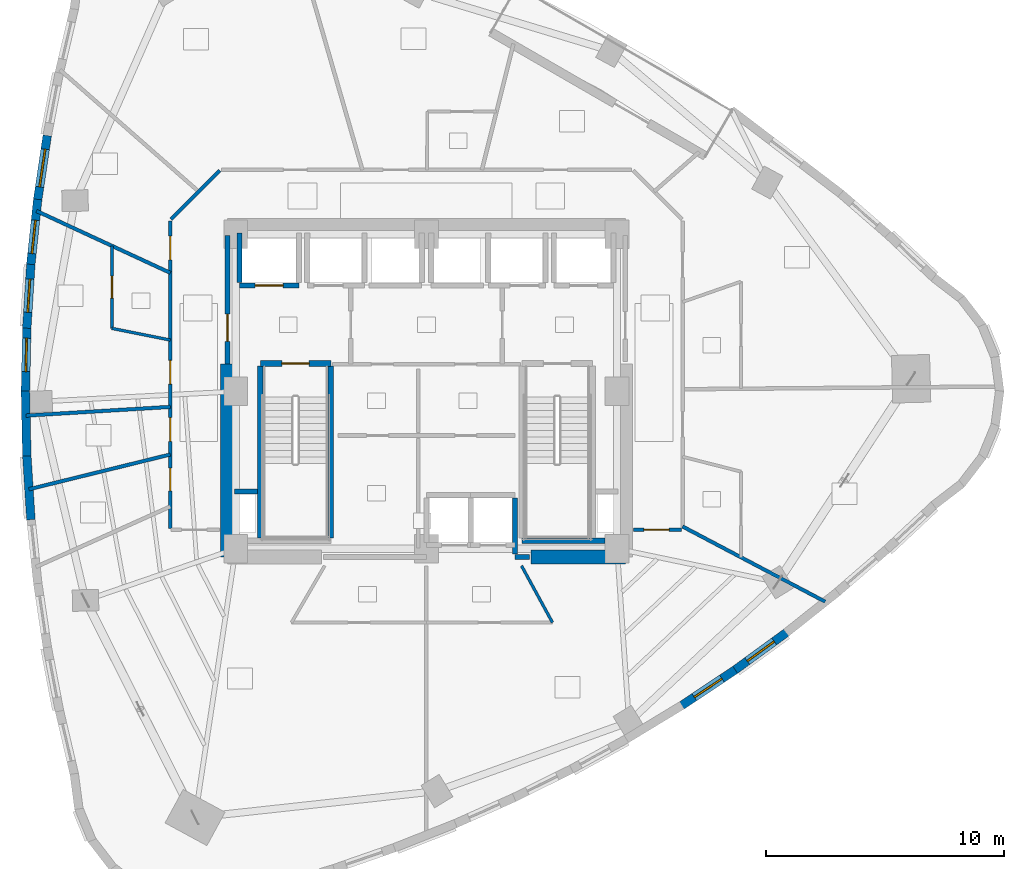
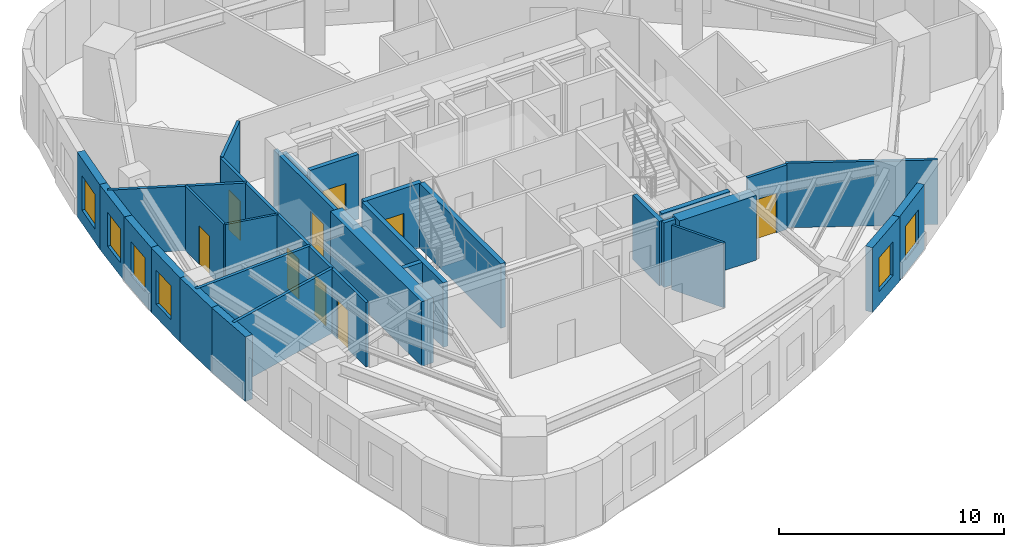
# One storey, part 8 of 14: 30 walls, 9 doors, 6 windows, 15 openings.
"""IFC4 building model written with IfcOpenShell, lengths in metres."""

from ifc_helpers import new_model, si_unit, direction, frame, frame_2d, origin, place, context, subcontext, project, spatial, rectangle, extrude, material, layer, layer_set, type_object, element, fill, save


model = new_model("IFC4")

# Units and contexts
model_context = context("Model", 3, precision=1e-05, world=origin(), true_north=direction((0.0, 1.0)))
body_context = subcontext(model_context, "Body", "Model", "MODEL_VIEW")
ifc_project = project(units=[si_unit("LENGTHUNIT", "METRE"), si_unit("AREAUNIT", "SQUARE_METRE"), si_unit("VOLUMEUNIT", "CUBIC_METRE"), si_unit("PLANEANGLEUNIT", "RADIAN"), si_unit("MASSUNIT", "GRAM", prefix="KILO")], contexts=[model_context])

# Site, building, storey
site_placement = place(None, origin())
site = spatial("IfcSite", under=ifc_project, at=site_placement, CompositionType="ELEMENT")
building_placement = place(site_placement, origin())
building = spatial("IfcBuilding", under=site, at=building_placement, Name="Ndelora Gate Hotel", CompositionType="ELEMENT")
storey_placement = place(building_placement, frame((0.0, 0.0, 127.25)))
storey = spatial("IfcBuildingStorey", under=building, at=storey_placement, Name="L31", CompositionType="ELEMENT", Elevation=127.25)

# Wall, opening, window
ifc_material_1 = material(Name="Clay Brick Masonry", Category="masonry")
ifc_layer_1 = layer(ifc_material_1, 0.360107421875)
ifc_layer_set_1 = layer_set([ifc_layer_1], Name="Clay Brick Masonry")
wall_type_1 = type_object("IfcWallType", Name="WL-BRICK-360", PredefinedType="SOLIDWALL", material=ifc_layer_set_1)
wall_1_placement = place(storey_placement, frame((-16.3212890625, 8.01220703125, 0.0), z_axis=(0.0, 0.0, 1.0), x_axis=(0.147193392227, 0.98910773189, 0.0)))
wall_1 = element("IfcWall", 1, at=wall_1_placement, inside=storey, type_object=wall_type_1, Name="L31 Tower Brick Pier-and-Spandrel Wall TWR-11", PredefinedType="SOLIDWALL", context=body_context, shape_type="SweptSolid", body=[
    extrude(rectangle(XDim=2.75830078125, YDim=0.360107421875, at=frame_2d((1.379150390625, 0.0))), origin(), (0.0, 0.0, 1.0), 3.5),
])
opening_1_placement = place(wall_1_placement, frame((0.5791015625, 0.0, 0.719970703125)))
opening_1 = element("IfcOpeningElement", 2, at=opening_1_placement, cuts=wall_1, Name="Opening W01", PredefinedType="OPENING", context=body_context, shape_type="SweptSolid", body=[
    extrude(rectangle(XDim=1.60009765625, YDim=1.8798828125, at=frame_2d((0.800048828125, 0.93994140625))), frame((0.0, 0.18994140625, 0.0), z_axis=(0.0, -1.0, 0.0), x_axis=(1.0, 0.0, 0.0)), (0.0, 0.0, 1.0), 0.380126953125),
])
ifc_material_2 = material(Name="Insulated Low-E Double Glazing in Bronze Aluminium Frame", Category="aluminium")
window_type_1 = type_object("IfcWindowType", Name="WN-DEEP-1600", PartitioningType="SINGLE_PANEL", PredefinedType="WINDOW", material=ifc_material_2)
window_1_placement = place(opening_1_placement, origin())
window_1 = element("IfcWindow", 3, at=window_1_placement, inside=storey, type_object=window_type_1, Name="L31 Deep-Set Brick-Pier Window W01", OverallHeight=1.8798828125, OverallWidth=1.60009765625, PartitioningType="SINGLE_PANEL", PredefinedType="WINDOW", context=body_context, shape_type="SweptSolid", body=[
    extrude(rectangle(XDim=1.60009765625, YDim=1.8798828125, at=frame_2d((0.800048828125, 0.93994140625))), frame((0.0, 0.030029296875, 0.0), z_axis=(0.0, -1.0, 0.0), x_axis=(1.0, 0.0, 0.0)), (0.0, 0.0, 1.0), 0.06005859375),
])
fill(opening_1, window_1)

wall_2_placement = place(storey_placement, frame((-16.60498046875, 5.3330078125, 0.0), z_axis=(0.0, 0.0, 1.0), x_axis=(0.105606362296, 0.994408012962, 0.0)))
wall_2 = element("IfcWall", 4, at=wall_2_placement, inside=storey, type_object=wall_type_1, Name="L31 Tower Brick Pier-and-Spandrel Wall TWR-12", PredefinedType="SOLIDWALL", context=body_context, shape_type="SweptSolid", body=[
    extrude(rectangle(XDim=2.744140625, YDim=0.360107421875, at=frame_2d((1.3720703125, 0.0))), origin(), (0.0, 0.0, 1.0), 3.5),
])
opening_2_placement = place(wall_2_placement, frame((0.4599609375, 0.0, 0.719970703125)))
opening_2 = element("IfcOpeningElement", 5, at=opening_2_placement, cuts=wall_2, Name="Opening W02", PredefinedType="OPENING", context=body_context, shape_type="SweptSolid", body=[
    extrude(rectangle(XDim=1.39990234375, YDim=1.840087890625, at=frame_2d((0.699951171875, 0.919921875))), frame((0.0, 0.18994140625, 0.0), z_axis=(0.0, -1.0, 0.0), x_axis=(1.0, 0.0, 0.0)), (0.0, 0.0, 1.0), 0.380126953125),
])
window_type_2 = type_object("IfcWindowType", Name="WN-DEEP-1400", PartitioningType="SINGLE_PANEL", PredefinedType="WINDOW", material=ifc_material_2)
window_2_placement = place(opening_2_placement, origin())
window_2 = element("IfcWindow", 6, at=window_2_placement, inside=storey, type_object=window_type_2, Name="L31 Deep-Set Brick-Pier Window W02", OverallHeight=1.840087890625, OverallWidth=1.39990234375, PartitioningType="SINGLE_PANEL", PredefinedType="WINDOW", context=body_context, shape_type="SweptSolid", body=[
    extrude(rectangle(XDim=1.39990234375, YDim=1.840087890625, at=frame_2d((0.699951171875, 0.919921875))), frame((0.0, 0.030029296875, 0.0), z_axis=(0.0, -1.0, 0.0), x_axis=(1.0, 0.0, 0.0)), (0.0, 0.0, 1.0), 0.06005859375),
])
fill(opening_2, window_2)

wall_3_placement = place(storey_placement, frame((-16.77490234375, 2.654052734375, 0.0), z_axis=(0.0, 0.0, 1.0), x_axis=(0.063662313476, 0.99797149751, 0.0)))
wall_3 = element("IfcWall", 7, at=wall_3_placement, inside=storey, type_object=wall_type_1, Name="L31 Tower Brick Pier-and-Spandrel Wall TWR-13", PredefinedType="SOLIDWALL", context=body_context, shape_type="SweptSolid", body=[
    extrude(rectangle(XDim=2.734375, YDim=0.360107421875, at=frame_2d((1.3671875, 0.0))), origin(), (0.0, 0.0, 1.0), 3.5),
])
opening_3_placement = place(wall_3_placement, frame((0.667236328125, 0.0, 0.719970703125)))
opening_3 = element("IfcOpeningElement", 8, at=opening_3_placement, cuts=wall_3, Name="Opening W02", PredefinedType="OPENING", context=body_context, shape_type="SweptSolid", body=[
    extrude(rectangle(XDim=1.39990234375, YDim=1.840087890625, at=frame_2d((0.699951171875, 0.919921875))), frame((0.0, 0.18994140625, 0.0), z_axis=(0.0, -1.0, 0.0), x_axis=(1.0, 0.0, 0.0)), (0.0, 0.0, 1.0), 0.380126953125),
])
window_3_placement = place(opening_3_placement, origin())
window_3 = element("IfcWindow", 9, at=window_3_placement, inside=storey, type_object=window_type_2, Name="L31 Deep-Set Brick-Pier Window W02", OverallHeight=1.840087890625, OverallWidth=1.39990234375, PartitioningType="SINGLE_PANEL", PredefinedType="WINDOW", context=body_context, shape_type="SweptSolid", body=[
    extrude(rectangle(XDim=1.39990234375, YDim=1.840087890625, at=frame_2d((0.699951171875, 0.919921875))), frame((0.0, 0.030029296875, 0.0), z_axis=(0.0, -1.0, 0.0), x_axis=(1.0, 0.0, 0.0)), (0.0, 0.0, 1.0), 0.06005859375),
])
fill(opening_3, window_3)

wall_4_placement = place(storey_placement, frame((-16.830810546875, -0.02490234375, 0.0), z_axis=(0.0, 0.0, 1.0), x_axis=(0.021286998628, 0.999773406172, 0.0)))
wall_4 = element("IfcWall", 10, at=wall_4_placement, inside=storey, type_object=wall_type_1, Name="L31 Tower Brick Pier-and-Spandrel Wall TWR-14", PredefinedType="SOLIDWALL", context=body_context, shape_type="SweptSolid", body=[
    extrude(rectangle(XDim=2.729736328125, YDim=0.360107421875, at=frame_2d((1.36474609375, 0.0))), origin(), (0.0, 0.0, 1.0), 3.5),
])
opening_4_placement = place(wall_4_placement, frame((0.860107421875, 0.0, 0.719970703125)))
opening_4 = element("IfcOpeningElement", 11, at=opening_4_placement, cuts=wall_4, Name="Opening W02", PredefinedType="OPENING", context=body_context, shape_type="SweptSolid", body=[
    extrude(rectangle(XDim=1.39990234375, YDim=1.840087890625, at=frame_2d((0.699951171875, 0.919921875))), frame((0.0, 0.18994140625, 0.0), z_axis=(0.0, -1.0, 0.0), x_axis=(1.0, 0.0, 0.0)), (0.0, 0.0, 1.0), 0.380126953125),
])
window_4_placement = place(opening_4_placement, origin())
window_4 = element("IfcWindow", 12, at=window_4_placement, inside=storey, type_object=window_type_2, Name="L31 Deep-Set Brick-Pier Window W02", OverallHeight=1.840087890625, OverallWidth=1.39990234375, PartitioningType="SINGLE_PANEL", PredefinedType="WINDOW", context=body_context, shape_type="SweptSolid", body=[
    extrude(rectangle(XDim=1.39990234375, YDim=1.840087890625, at=frame_2d((0.699951171875, 0.919921875))), frame((0.0, 0.030029296875, 0.0), z_axis=(0.0, -1.0, 0.0), x_axis=(1.0, 0.0, 0.0)), (0.0, 0.0, 1.0), 0.06005859375),
])
fill(opening_4, window_4)

# Walls
wall_5_placement = place(storey_placement, frame((-16.772705078125, -2.7041015625, 0.0), z_axis=(0.0, 0.0, 1.0), x_axis=(-0.021286998628, 0.999773406172, 0.0)))
element("IfcWall", 13, at=wall_5_placement, inside=storey, type_object=wall_type_1, Name="L31 Tower Brick Pier-and-Spandrel Wall TWR-15", PredefinedType="SOLIDWALL", context=body_context, shape_type="SweptSolid", body=[
    extrude(rectangle(XDim=2.729736328125, YDim=0.360107421875, at=frame_2d((1.36474609375, 0.0))), origin(), (0.0, 0.0, 1.0), 3.5),
])
wall_6_placement = place(storey_placement, frame((-16.600830078125, -5.3828125, 0.0), z_axis=(0.0, 0.0, 1.0), x_axis=(-0.063662313476, 0.99797149751, 0.0)))
element("IfcWall", 14, at=wall_6_placement, inside=storey, type_object=wall_type_1, Name="L31 Tower Brick Pier-and-Spandrel Wall TWR-16", PredefinedType="SOLIDWALL", context=body_context, shape_type="SweptSolid", body=[
    extrude(rectangle(XDim=2.734375, YDim=0.360107421875, at=frame_2d((1.3671875, 0.0))), origin(), (0.0, 0.0, 1.0), 3.5),
])

# Wall, opening, window
wall_7_placement = place(storey_placement, frame((12.962158203125, -11.685302734375, 0.0), z_axis=(0.0, 0.0, 1.0), x_axis=(-0.832462133921, -0.554081939416, 0.0)))
wall_7 = element("IfcWall", 15, at=wall_7_placement, inside=storey, type_object=wall_type_1, Name="L31 Tower Brick Pier-and-Spandrel Wall TWR-36", PredefinedType="SOLIDWALL", context=body_context, shape_type="SweptSolid", body=[
    extrude(rectangle(XDim=2.734619140625, YDim=0.360107421875, at=frame_2d((1.3671875, 0.0))), origin(), (0.0, 0.0, 1.0), 3.5),
])
opening_5_placement = place(wall_7_placement, frame((0.667236328125, 0.0, 0.719970703125)))
opening_5 = element("IfcOpeningElement", 16, at=opening_5_placement, cuts=wall_7, Name="Opening W02", PredefinedType="OPENING", context=body_context, shape_type="SweptSolid", body=[
    extrude(rectangle(XDim=1.39990234375, YDim=1.840087890625, at=frame_2d((0.699951171875, 0.919921875))), frame((0.0, 0.18994140625, 0.0), z_axis=(0.0, -1.0, 0.0), x_axis=(1.0, 0.0, 0.0)), (0.0, 0.0, 1.0), 0.380126953125),
])
window_5_placement = place(opening_5_placement, origin())
window_5 = element("IfcWindow", 17, at=window_5_placement, inside=storey, type_object=window_type_2, Name="L31 Deep-Set Brick-Pier Window W02", OverallHeight=1.840087890625, OverallWidth=1.39990234375, PartitioningType="SINGLE_PANEL", PredefinedType="WINDOW", context=body_context, shape_type="SweptSolid", body=[
    extrude(rectangle(XDim=1.39990234375, YDim=1.840087890625, at=frame_2d((0.699951171875, 0.919921875))), frame((0.0, 0.030029296875, 0.0), z_axis=(0.0, -1.0, 0.0), x_axis=(1.0, 0.0, 0.0)), (0.0, 0.0, 1.0), 0.06005859375),
])
fill(opening_5, window_5)

wall_8_placement = place(storey_placement, frame((15.13916015625, -10.098388671875, 0.0), z_axis=(0.0, 0.0, 1.0), x_axis=(-0.808324203432, -0.588737617403, 0.0)))
wall_8 = element("IfcWall", 18, at=wall_8_placement, inside=storey, type_object=wall_type_1, Name="L31 Tower Brick Pier-and-Spandrel Wall TWR-37", PredefinedType="SOLIDWALL", context=body_context, shape_type="SweptSolid", body=[
    extrude(rectangle(XDim=2.743896484375, YDim=0.360107421875, at=frame_2d((1.3720703125, 0.0))), origin(), (0.0, 0.0, 1.0), 3.5),
])
opening_6_placement = place(wall_8_placement, frame((0.672119140625, 0.0, 0.719970703125)))
opening_6 = element("IfcOpeningElement", 19, at=opening_6_placement, cuts=wall_8, Name="Opening W02", PredefinedType="OPENING", context=body_context, shape_type="SweptSolid", body=[
    extrude(rectangle(XDim=1.39990234375, YDim=1.840087890625, at=frame_2d((0.699951171875, 0.919921875))), frame((0.0, 0.18994140625, 0.0), z_axis=(0.0, -1.0, 0.0), x_axis=(1.0, 0.0, 0.0)), (0.0, 0.0, 1.0), 0.380126953125),
])
window_6_placement = place(opening_6_placement, origin())
window_6 = element("IfcWindow", 20, at=window_6_placement, inside=storey, type_object=window_type_2, Name="L31 Deep-Set Brick-Pier Window W02", OverallHeight=1.840087890625, OverallWidth=1.39990234375, PartitioningType="SINGLE_PANEL", PredefinedType="WINDOW", context=body_context, shape_type="SweptSolid", body=[
    extrude(rectangle(XDim=1.39990234375, YDim=1.840087890625, at=frame_2d((0.699951171875, 0.919921875))), frame((0.0, 0.030029296875, 0.0), z_axis=(0.0, -1.0, 0.0), x_axis=(1.0, 0.0, 0.0)), (0.0, 0.0, 1.0), 0.06005859375),
])
fill(opening_6, window_6)

# Walls
ifc_material_3 = material(Name="Concrete C60/75", Category="concrete")
ifc_layer_2 = layer(ifc_material_3, 0.60009765625)
ifc_layer_set_2 = layer_set([ifc_layer_2], Name="Concrete C60/75")
wall_type_2 = type_object("IfcWallType", Name="WL-CORE-600", PredefinedType="SHEAR", material=ifc_layer_set_2)
wall_9_placement = place(storey_placement, frame((4.39990234375, -6.949951171875, 0.0), z_axis=(0.0, 0.0, 1.0), x_axis=(1.0, 0.0, 0.0)))
element("IfcWall", 21, at=wall_9_placement, inside=storey, type_object=wall_type_2, Name="L31 Core Shear Wall S-E", PredefinedType="SHEAR", context=body_context, shape_type="SweptSolid", body=[
    extrude(rectangle(XDim=3.9501953125, YDim=0.60009765625, at=frame_2d((1.97509765625, 0.0))), origin(), (0.0, 0.0, 1.0), 3.5),
])
wall_10_placement = place(storey_placement, frame((-8.35009765625, -6.949951171875, 0.0), z_axis=(0.0, 0.0, 1.0), x_axis=(0.0, 1.0, 0.0)))
element("IfcWall", 22, at=wall_10_placement, inside=storey, type_object=wall_type_2, Name="L31 Core Shear Wall W", PredefinedType="SHEAR", context=body_context, shape_type="SweptSolid", body=[
    extrude(rectangle(XDim=8.099853515625, YDim=0.60009765625, at=frame_2d((4.0498046875, 0.0))), origin(), (0.0, 0.0, 1.0), 3.5),
])

# Wall, opening, door
ifc_material_4 = material(Name="Concrete C40/50", Category="concrete")
ifc_layer_3 = layer(ifc_material_4, 0.199951171875)
ifc_layer_set_3 = layer_set([ifc_layer_3], Name="Concrete C40/50")
wall_type_3 = type_object("IfcWallType", Name="WL-FIRE-200", PredefinedType="PARTITIONING", material=ifc_layer_set_3)
wall_11_placement = place(storey_placement, frame((-8.35009765625, 1.14990234375, 0.0), z_axis=(0.0, 0.0, 1.0), x_axis=(0.0, 1.0, 0.0)))
wall_11 = element("IfcWall", 23, at=wall_11_placement, inside=storey, type_object=wall_type_3, Name="L31 Interior Wall IW-2", PredefinedType="PARTITIONING", context=body_context, shape_type="SweptSolid", body=[
    extrude(rectangle(XDim=5.400146484375, YDim=0.199951171875, at=frame_2d((2.7001953125, 0.0))), origin(), (0.0, 0.0, 1.0), 3.5),
])
opening_7_placement = place(wall_11_placement, frame((0.949951171875, 0.0, 0.0)))
opening_7 = element("IfcOpeningElement", 24, at=opening_7_placement, cuts=wall_11, Name="Opening FD1", PredefinedType="OPENING", context=body_context, shape_type="SweptSolid", body=[
    extrude(rectangle(XDim=1.14990234375, YDim=2.14990234375, at=frame_2d((0.574951171875, 1.074951171875))), frame((0.0, 0.10986328125, 0.0), z_axis=(0.0, -1.0, 0.0), x_axis=(1.0, 0.0, 0.0)), (0.0, 0.0, 1.0), 0.219970703125),
])
ifc_material_5 = material(Name="Fire-Rated Timber-Veneer Steel Core", Category="steel")
door_type_1 = type_object("IfcDoorType", Name="DR-FD60", OperationType="SINGLE_SWING_LEFT", PredefinedType="DOOR", material=ifc_material_5)
door_1_placement = place(opening_7_placement, origin())
door_1 = element("IfcDoor", 25, at=door_1_placement, inside=storey, type_object=door_type_1, Name="L31 Firefighting Lobby West Corridor Door", OperationType="SINGLE_SWING_LEFT", OverallHeight=2.14990234375, OverallWidth=1.14990234375, PredefinedType="DOOR", context=body_context, shape_type="SweptSolid", body=[
    extrude(rectangle(XDim=1.14990234375, YDim=2.14990234375, at=frame_2d((0.574951171875, 1.074951171875))), frame((0.0, 0.02490234375, 0.0), z_axis=(0.0, -1.0, 0.0), x_axis=(1.0, 0.0, 0.0)), (0.0, 0.0, 1.0), 0.050048828125),
])
fill(opening_7, door_1)

# Wall
wall_12_placement = place(storey_placement, frame((3.719970703125, -6.949951171875, 0.0), z_axis=(0.0, 0.0, 1.0), x_axis=(1.0, 0.0, 0.0)))
element("IfcWall", 26, at=wall_12_placement, inside=storey, type_object=wall_type_3, Name="L31 Interior Wall IW-2", PredefinedType="PARTITIONING", context=body_context, shape_type="SweptSolid", body=[
    extrude(rectangle(XDim=0.60009765625, YDim=0.199951171875, at=frame_2d((0.300048828125, 0.0))), origin(), (0.0, 0.0, 1.0), 3.5),
])

# Wall, opening, door
ifc_material_6 = material(Name="Fire-Rated Gypsum Stud Partition", Category="gypsum")
ifc_layer_4 = layer(ifc_material_6, 0.14990234375)
ifc_layer_set_4 = layer_set([ifc_layer_4], Name="Fire-Rated Gypsum Stud Partition")
wall_type_4 = type_object("IfcWallType", Name="WL-PART-150", PredefinedType="PARTITIONING", material=ifc_layer_set_4)
wall_13_placement = place(storey_placement, frame((10.7099609375, -5.800048828125, 0.0), z_axis=(0.0, 0.0, 1.0), x_axis=(-1.0, 0.0, 0.0)))
wall_13 = element("IfcWall", 27, at=wall_13_placement, inside=storey, type_object=wall_type_4, Name="L31 Interior Wall IW-5", PredefinedType="PARTITIONING", context=body_context, shape_type="SweptSolid", body=[
    extrude(rectangle(XDim=2.02001953125, YDim=0.14990234375, at=frame_2d((1.010009765625, 0.0))), origin(), (0.0, 0.0, 1.0), 3.5),
])
opening_8_placement = place(wall_13_placement, frame((0.52001953125, 0.0, 0.0)))
opening_8 = element("IfcOpeningElement", 28, at=opening_8_placement, cuts=wall_13, Name="Opening D07", PredefinedType="OPENING", context=body_context, shape_type="SweptSolid", body=[
    extrude(rectangle(XDim=1.06005859375, YDim=2.14990234375, at=frame_2d((0.530029296875, 1.074951171875))), frame((0.0, 0.0849609375, 0.0), z_axis=(0.0, -1.0, 0.0), x_axis=(1.0, 0.0, 0.0)), (0.0, 0.0, 1.0), 0.169921875),
])
ifc_material_7 = material(Name="Diplomatic Suite Acoustic Entrance Door", Category="wood")
door_type_2 = type_object("IfcDoorType", Name="DR-SUITE-1060", OperationType="SINGLE_SWING_LEFT", PredefinedType="DOOR", material=ifc_material_7)
door_2_placement = place(opening_8_placement, origin())
door_2 = element("IfcDoor", 29, at=door_2_placement, inside=storey, type_object=door_type_2, Name="L31 Club King Corner Suite 3402 Entrance Door", OperationType="SINGLE_SWING_RIGHT", OverallHeight=2.14990234375, OverallWidth=1.06005859375, PredefinedType="DOOR", context=body_context, shape_type="SweptSolid", body=[
    extrude(rectangle(XDim=1.06005859375, YDim=2.14990234375, at=frame_2d((0.530029296875, 1.074951171875))), frame((0.0, 0.02490234375, 0.0), z_axis=(0.0, -1.0, 0.0), x_axis=(1.0, 0.0, 0.0)), (0.0, 0.0, 1.0), 0.050048828125),
])
fill(opening_8, door_2)

# Wall
wall_14_placement = place(storey_placement, frame((-10.7216796875, 7.228271484375, 0.0), z_axis=(0.0, 0.0, 1.0), x_axis=(0.707106781187, 0.707106781187, 0.0)))
element("IfcWall", 30, at=wall_14_placement, inside=storey, type_object=wall_type_4, Name="L31 Interior Wall IW-5", PredefinedType="PARTITIONING", context=body_context, shape_type="SweptSolid", body=[
    extrude(rectangle(XDim=2.889892578125, YDim=0.14990234375, at=frame_2d((1.44482421875, 0.0))), origin(), (0.0, 0.0, 1.0), 3.5),
])

# Wall, openings, doors
wall_15_placement = place(storey_placement, frame((-10.75, -5.760009765625, 0.0), z_axis=(0.0, 0.0, 1.0), x_axis=(0.0, 1.0, 0.0)))
wall_15 = element("IfcWall", 31, at=wall_15_placement, inside=storey, type_object=wall_type_4, Name="L31 Interior Wall IW-5", PredefinedType="PARTITIONING", context=body_context, shape_type="SweptSolid", body=[
    extrude(rectangle(XDim=12.919921875, YDim=0.14990234375, at=frame_2d((6.4599609375, 0.0))), origin(), (0.0, 0.0, 1.0), 3.5),
])
opening_9_placement = place(wall_15_placement, frame((3.660400390625, 0.0, 0.0)))
opening_9 = element("IfcOpeningElement", 32, at=opening_9_placement, cuts=wall_15, Name="Opening D01", PredefinedType="OPENING", context=body_context, shape_type="SweptSolid", body=[
    extrude(rectangle(XDim=1.0, YDim=2.14990234375, at=frame_2d((0.5, 1.074951171875))), frame((0.0, 0.0849609375, 0.0), z_axis=(0.0, -1.0, 0.0), x_axis=(1.0, 0.0, 0.0)), (0.0, 0.0, 1.0), 0.169921875),
])
opening_10_placement = place(wall_15_placement, frame((1.5888671875, 0.0, 0.0)))
opening_10 = element("IfcOpeningElement", 33, at=opening_10_placement, cuts=wall_15, Name="Opening D05", PredefinedType="OPENING", context=body_context, shape_type="SweptSolid", body=[
    extrude(rectangle(XDim=0.949951171875, YDim=2.10009765625, at=frame_2d((0.47509765625, 1.050048828125))), frame((0.0, 0.0849609375, 0.0), z_axis=(0.0, -1.0, 0.0), x_axis=(1.0, 0.0, 0.0)), (0.0, 0.0, 1.0), 0.169921875),
])
opening_11_placement = place(wall_15_placement, frame((11.2783203125, 0.0, 0.0)))
opening_11 = element("IfcOpeningElement", 34, at=opening_11_placement, cuts=wall_15, Name="Opening D01", PredefinedType="OPENING", context=body_context, shape_type="SweptSolid", body=[
    extrude(rectangle(XDim=1.0, YDim=2.14990234375, at=frame_2d((0.5, 1.074951171875))), frame((0.0, 0.0849609375, 0.0), z_axis=(0.0, -1.0, 0.0), x_axis=(1.0, 0.0, 0.0)), (0.0, 0.0, 1.0), 0.169921875),
])
opening_12_placement = place(wall_15_placement, frame((6.064697265625, 0.0, 0.0)))
opening_12 = element("IfcOpeningElement", 35, at=opening_12_placement, cuts=wall_15, Name="Opening D01", PredefinedType="OPENING", context=body_context, shape_type="SweptSolid", body=[
    extrude(rectangle(XDim=1.0, YDim=2.14990234375, at=frame_2d((0.5, 1.074951171875))), frame((0.0, 0.0849609375, 0.0), z_axis=(0.0, -1.0, 0.0), x_axis=(1.0, 0.0, 0.0)), (0.0, 0.0, 1.0), 0.169921875),
])
ifc_material_8 = material(Name="Accessible Restroom Wide-Clearance Door", Category="wood")
door_type_3 = type_object("IfcDoorType", Name="DR-ACC-950", OperationType="SINGLE_SWING_LEFT", PredefinedType="DOOR", material=ifc_material_8)
door_3_placement = place(opening_10_placement, origin())
door_3 = element("IfcDoor", 36, at=door_3_placement, inside=storey, type_object=door_type_3, Name="L31 Accessible WC Entrance Door", OperationType="SINGLE_SWING_LEFT", OverallHeight=2.10009765625, OverallWidth=0.949951171875, PredefinedType="DOOR", context=body_context, shape_type="SweptSolid", body=[
    extrude(rectangle(XDim=0.949951171875, YDim=2.10009765625, at=frame_2d((0.47509765625, 1.050048828125))), frame((0.0, 0.02490234375, 0.0), z_axis=(0.0, -1.0, 0.0), x_axis=(1.0, 0.0, 0.0)), (0.0, 0.0, 1.0), 0.050048828125),
])
fill(opening_10, door_3)
ifc_material_9 = material(Name="Acoustic Hardwood Guest Entrance Door", Category="wood")
door_type_4 = type_object("IfcDoorType", Name="DR-COR-1000", OperationType="SINGLE_SWING_LEFT", PredefinedType="DOOR", material=ifc_material_9)
door_4_placement = place(opening_9_placement, origin())
door_4 = element("IfcDoor", 37, at=door_4_placement, inside=storey, type_object=door_type_4, Name="L31 Housekeeping and Linen Room Entrance Door", OperationType="SINGLE_SWING_RIGHT", OverallHeight=2.14990234375, OverallWidth=1.0, PredefinedType="DOOR", context=body_context, shape_type="SweptSolid", body=[
    extrude(rectangle(XDim=1.0, YDim=2.14990234375, at=frame_2d((0.5, 1.074951171875))), frame((0.0, 0.02490234375, 0.0), z_axis=(0.0, -1.0, 0.0), x_axis=(1.0, 0.0, 0.0)), (0.0, 0.0, 1.0), 0.050048828125),
])
fill(opening_9, door_4)
door_5_placement = place(opening_11_placement, origin())
door_5 = element("IfcDoor", 38, at=door_5_placement, inside=storey, type_object=door_type_4, Name="L31 Butler Finishing Kitchen Entrance Door", OperationType="SINGLE_SWING_LEFT", OverallHeight=2.14990234375, OverallWidth=1.0, PredefinedType="DOOR", context=body_context, shape_type="SweptSolid", body=[
    extrude(rectangle(XDim=1.0, YDim=2.14990234375, at=frame_2d((0.5, 1.074951171875))), frame((0.0, 0.02490234375, 0.0), z_axis=(0.0, -1.0, 0.0), x_axis=(1.0, 0.0, 0.0)), (0.0, 0.0, 1.0), 0.050048828125),
])
fill(opening_11, door_5)
door_6_placement = place(opening_12_placement, origin())
door_6 = element("IfcDoor", 39, at=door_6_placement, inside=storey, type_object=door_type_4, Name="L31 Club Superior Guest Room 3406 Entrance Door", OperationType="SINGLE_SWING_RIGHT", OverallHeight=2.14990234375, OverallWidth=1.0, PredefinedType="DOOR", context=body_context, shape_type="SweptSolid", body=[
    extrude(rectangle(XDim=1.0, YDim=2.14990234375, at=frame_2d((0.5, 1.074951171875))), frame((0.0, 0.02490234375, 0.0), z_axis=(0.0, -1.0, 0.0), x_axis=(1.0, 0.0, 0.0)), (0.0, 0.0, 1.0), 0.050048828125),
])
fill(opening_12, door_6)

# Walls
wall_16_placement = place(storey_placement, frame((10.75, -5.667724609375, 0.0), z_axis=(0.0, 0.0, 1.0), x_axis=(0.884577755421, -0.466392747172, 0.0)))
element("IfcWall", 40, at=wall_16_placement, inside=storey, type_object=wall_type_4, Name="L31 Interior Wall IW-5", PredefinedType="PARTITIONING", context=body_context, shape_type="SweptSolid", body=[
    extrude(rectangle(XDim=6.77099609375, YDim=0.14990234375, at=frame_2d((3.385498046875, 0.0))), origin(), (0.0, 0.0, 1.0), 3.5),
])
wall_17_placement = place(storey_placement, frame((-10.75, 4.9765625, 0.0), z_axis=(0.0, 0.0, 1.0), x_axis=(-0.907495868458, 0.420061005964, 0.0)))
element("IfcWall", 41, at=wall_17_placement, inside=storey, type_object=wall_type_4, Name="L31 Interior Wall IW-5", PredefinedType="PARTITIONING", context=body_context, shape_type="SweptSolid", body=[
    extrude(rectangle(XDim=6.189208984375, YDim=0.14990234375, at=frame_2d((3.0947265625, 0.0))), origin(), (0.0, 0.0, 1.0), 3.5),
])
wall_18_placement = place(storey_placement, frame((-10.75, -0.6484375, 0.0), z_axis=(0.0, 0.0, 1.0), x_axis=(-0.998185459259, -0.060214524199, 0.0)))
element("IfcWall", 42, at=wall_18_placement, inside=storey, type_object=wall_type_4, Name="L31 Interior Wall IW-5", PredefinedType="PARTITIONING", context=body_context, shape_type="SweptSolid", body=[
    extrude(rectangle(XDim=6.069580078125, YDim=0.14990234375, at=frame_2d((3.03466796875, 0.0))), origin(), (0.0, 0.0, 1.0), 3.5),
])
wall_19_placement = place(storey_placement, frame((-10.75, -2.6455078125, 0.0), z_axis=(0.0, 0.0, 1.0), x_axis=(-0.97101530701, -0.239017308059, 0.0)))
element("IfcWall", 43, at=wall_19_placement, inside=storey, type_object=wall_type_4, Name="L31 Interior Wall IW-5", PredefinedType="PARTITIONING", context=body_context, shape_type="SweptSolid", body=[
    extrude(rectangle(XDim=6.109130859375, YDim=0.14990234375, at=frame_2d((3.0546875, 0.0))), origin(), (0.0, 0.0, 1.0), 3.5),
])
ifc_layer_5 = layer(ifc_material_4, 0.219970703125)
ifc_layer_set_5 = layer_set([ifc_layer_5], Name="Concrete C40/50")
wall_type_5 = type_object("IfcWallType", Name="WL-SHAFT-220", PredefinedType="PARTITIONING", material=ifc_layer_set_5)
wall_20_placement = place(storey_placement, frame((-8.050048828125, -4.199951171875, 0.0), z_axis=(0.0, 0.0, 1.0), x_axis=(1.0, 0.0, 0.0)))
element("IfcWall", 44, at=wall_20_placement, inside=storey, type_object=wall_type_5, Name="L31 Interior Wall IW-1", PredefinedType="PARTITIONING", context=body_context, shape_type="SweptSolid", body=[
    extrude(rectangle(XDim=0.9599609375, YDim=0.219970703125, at=frame_2d((0.47998046875, 0.0))), origin(), (0.0, 0.0, 1.0), 3.5),
])

# Wall, opening, door
wall_21_placement = place(storey_placement, frame((-7.85009765625, 4.449951171875, 0.0), z_axis=(0.0, 0.0, 1.0), x_axis=(1.0, 0.0, 0.0)))
wall_21 = element("IfcWall", 45, at=wall_21_placement, inside=storey, type_object=wall_type_5, Name="L31 Interior Wall IW-1", PredefinedType="PARTITIONING", context=body_context, shape_type="SweptSolid", body=[
    extrude(rectangle(XDim=2.5, YDim=0.219970703125, at=frame_2d((1.25, 0.0))), origin(), (0.0, 0.0, 1.0), 3.5),
])
opening_13_placement = place(wall_21_placement, frame((0.659912109375, 0.0, 0.0)))
opening_13 = element("IfcOpeningElement", 46, at=opening_13_placement, cuts=wall_21, Name="Opening LD5", PredefinedType="OPENING", context=body_context, shape_type="SweptSolid", body=[
    extrude(rectangle(XDim=1.179931640625, YDim=2.14990234375, at=frame_2d((0.58984375, 1.074951171875))), frame((0.0, 0.1201171875, 0.0), z_axis=(0.0, -1.0, 0.0), x_axis=(1.0, 0.0, 0.0)), (0.0, 0.0, 1.0), 0.239990234375),
])
ifc_material_10 = material(Name="Firefighting Lift Stainless Sliding Landing Door", Category="metal")
door_type_5 = type_object("IfcDoorType", Name="DR-LD5", OperationType="DOUBLE_DOOR_SLIDING", PredefinedType="DOOR", material=ifc_material_10)
door_7_placement = place(opening_13_placement, origin())
door_7 = element("IfcDoor", 47, at=door_7_placement, inside=storey, type_object=door_type_5, Name="L31 Lift Landing Sliding Door FFL1", OperationType="DOUBLE_DOOR_SLIDING", OverallHeight=2.14990234375, OverallWidth=1.179931640625, PredefinedType="DOOR", context=body_context, shape_type="SweptSolid", body=[
    extrude(rectangle(XDim=1.179931640625, YDim=2.14990234375, at=frame_2d((0.58984375, 1.074951171875))), frame((0.0, 0.02490234375, 0.0), z_axis=(0.0, -1.0, 0.0), x_axis=(1.0, 0.0, 0.0)), (0.0, 0.0, 1.0), 0.050048828125),
])
fill(opening_13, door_7)

# Walls
wall_22_placement = place(storey_placement, frame((-7.85009765625, 4.570068359375, 0.0), z_axis=(0.0, 0.0, 1.0), x_axis=(0.0, 1.0, 0.0)))
element("IfcWall", 48, at=wall_22_placement, inside=storey, type_object=wall_type_5, Name="L31 Interior Wall IW-1", PredefinedType="PARTITIONING", context=body_context, shape_type="SweptSolid", body=[
    extrude(rectangle(XDim=2.079833984375, YDim=0.219970703125, at=frame_2d((1.0400390625, 0.0))), origin(), (0.0, 0.0, 1.0), 3.1201171875),
])
wall_23_placement = place(storey_placement, frame((3.719970703125, -6.830078125, 0.0), z_axis=(0.0, 0.0, 1.0), x_axis=(0.0, 1.0, 0.0)))
element("IfcWall", 49, at=wall_23_placement, inside=storey, type_object=wall_type_5, Name="L31 Interior Wall IW-1", PredefinedType="PARTITIONING", context=body_context, shape_type="SweptSolid", body=[
    extrude(rectangle(XDim=2.360107421875, YDim=0.219970703125, at=frame_2d((1.18017578125, 0.0))), origin(), (0.0, 0.0, 1.0), 3.5),
])
ifc_material_11 = material(Name="Concrete C50/60", Category="concrete")
ifc_layer_6 = layer(ifc_material_11, 0.239990234375)
ifc_layer_set_6 = layer_set([ifc_layer_6], Name="Concrete C50/60")
wall_type_6 = type_object("IfcWallType", Name="WL-STAIR-240", PredefinedType="SHEAR", material=ifc_layer_set_6)
for number, where, z_axis, x_axis, name in (
    (50, (-6.969970703125, -6.159912109375, 0.0), (0.0, 0.0, 1.0), (0.0, 1.0, 0.0), "L31 Stair Core Shear Wall SW-ST"),
    (51, (-4.010009765625, -6.159912109375, 0.0), (0.0, 0.0, 1.0), (0.0, 1.0, 0.0), "L31 Stair Core Shear Wall SW-ST"),
):
    element("IfcWall", number, at=place(storey_placement, frame(where, z_axis=z_axis, x_axis=x_axis)), inside=storey, type_object=wall_type_6, Name=name, PredefinedType="SHEAR", context=body_context, shape_type="SweptSolid", body=[
        extrude(rectangle(XDim=7.219970703125, YDim=0.239990234375, at=frame_2d((3.60986328125, 0.0))), origin(), (0.0, 0.0, 1.0), 3.5),
    ])

# Wall, opening, door
wall_24_placement = place(storey_placement, frame((-6.969970703125, 1.169921875, 0.0), z_axis=(0.0, 0.0, 1.0), x_axis=(1.0, 0.0, 0.0)))
wall_24 = element("IfcWall", 52, at=wall_24_placement, inside=storey, type_object=wall_type_6, Name="L31 Stair Core Shear Wall SW-ST", PredefinedType="SHEAR", context=body_context, shape_type="SweptSolid", body=[
    extrude(rectangle(XDim=2.9599609375, YDim=0.239990234375, at=frame_2d((1.47998046875, 0.0))), origin(), (0.0, 0.0, 1.0), 3.5),
])
opening_14_placement = place(wall_24_placement, frame((0.89990234375, 0.0, 0.0)))
opening_14 = element("IfcOpeningElement", 53, at=opening_14_placement, cuts=wall_24, Name="Opening FD1", PredefinedType="OPENING", context=body_context, shape_type="SweptSolid", body=[
    extrude(rectangle(XDim=1.14990234375, YDim=2.14990234375, at=frame_2d((0.574951171875, 1.074951171875))), frame((0.0, 0.1298828125, 0.0), z_axis=(0.0, -1.0, 0.0), x_axis=(1.0, 0.0, 0.0)), (0.0, 0.0, 1.0), 0.260009765625),
])
door_8_placement = place(opening_14_placement, origin())
door_8 = element("IfcDoor", 54, at=door_8_placement, inside=storey, type_object=door_type_1, Name="L31 Exit Stair ST4 Door", OperationType="SINGLE_SWING_LEFT", OverallHeight=2.14990234375, OverallWidth=1.14990234375, PredefinedType="DOOR", context=body_context, shape_type="SweptSolid", body=[
    extrude(rectangle(XDim=1.14990234375, YDim=2.14990234375, at=frame_2d((0.574951171875, 1.074951171875))), frame((0.0, 0.02490234375, 0.0), z_axis=(0.0, -1.0, 0.0), x_axis=(1.0, 0.0, 0.0)), (0.0, 0.0, 1.0), 0.050048828125),
])
fill(opening_14, door_8)

# Walls
wall_25_placement = place(storey_placement, frame((4.010009765625, -6.27001953125, 0.0), z_axis=(0.0, 0.0, 1.0), x_axis=(1.0, 0.0, 0.0)))
element("IfcWall", 55, at=wall_25_placement, inside=storey, type_object=wall_type_6, Name="L31 Stair Core Shear Wall SW-ST", PredefinedType="SHEAR", context=body_context, shape_type="SweptSolid", body=[
    extrude(rectangle(XDim=3.489990234375, YDim=0.239990234375, at=frame_2d((1.7451171875, 0.0))), origin(), (0.0, 0.0, 1.0), 3.5),
])
ifc_material_12 = material(Name="Moisture-Resistant Bathroom Tile Partition", Category="gypsum")
ifc_layer_7 = layer(ifc_material_12, 0.1201171875)
ifc_layer_set_7 = layer_set([ifc_layer_7], Name="Moisture-Resistant Bathroom Tile Partition")
wall_type_7 = type_object("IfcWallType", Name="WL-WET-120", PredefinedType="PARTITIONING", material=ifc_layer_set_7)
wall_26_placement = place(storey_placement, frame((3.992919921875, -7.320068359375, 0.0), z_axis=(0.0, 0.0, 1.0), x_axis=(0.478915225664, -0.877861154527, 0.0)))
element("IfcWall", 56, at=wall_26_placement, inside=storey, type_object=wall_type_7, Name="L31 Interior Wall IW-7", PredefinedType="PARTITIONING", context=body_context, shape_type="SweptSolid", body=[
    extrude(rectangle(XDim=2.7109375, YDim=0.1201171875, at=frame_2d((1.35546875, 0.0))), origin(), (0.0, 0.0, 1.0), 3.5),
])
wall_27_placement = place(storey_placement, frame((-10.75, 2.156005859375, 0.0), z_axis=(0.0, 0.0, 1.0), x_axis=(-0.980467777356, 0.196679784337, 0.0)))
element("IfcWall", 57, at=wall_27_placement, inside=storey, type_object=wall_type_7, Name="L31 Interior Wall IW-7", PredefinedType="PARTITIONING", context=body_context, shape_type="SweptSolid", body=[
    extrude(rectangle(XDim=2.498779296875, YDim=0.1201171875, at=frame_2d((1.24951171875, 0.0))), origin(), (0.0, 0.0, 1.0), 3.5),
])

# Wall, opening, door
wall_28_placement = place(storey_placement, frame((-13.199951171875, 2.6474609375, 0.0), z_axis=(0.0, 0.0, 1.0), x_axis=(0.0, 1.0, 0.0)))
wall_28 = element("IfcWall", 58, at=wall_28_placement, inside=storey, type_object=wall_type_7, Name="L31 Interior Wall IW-7", PredefinedType="PARTITIONING", context=body_context, shape_type="SweptSolid", body=[
    extrude(rectangle(XDim=3.463134765625, YDim=0.1201171875, at=frame_2d((1.7314453125, 0.0))), origin(), (0.0, 0.0, 1.0), 3.5),
])
opening_15_placement = place(wall_28_placement, frame((1.271484375, 0.0, 0.0)))
opening_15 = element("IfcOpeningElement", 59, at=opening_15_placement, cuts=wall_28, Name="Opening D03", PredefinedType="OPENING", context=body_context, shape_type="SweptSolid", body=[
    extrude(rectangle(XDim=0.919921875, YDim=2.10009765625, at=frame_2d((0.4599609375, 1.050048828125))), frame((0.0, 0.070068359375, 0.0), z_axis=(0.0, -1.0, 0.0), x_axis=(1.0, 0.0, 0.0)), (0.0, 0.0, 1.0), 0.14013671875),
])
ifc_material_13 = material(Name="Moisture-Resistant Hardwood En-Suite Door", Category="wood")
door_type_6 = type_object("IfcDoorType", Name="DR-BATH-920", OperationType="SINGLE_SWING_LEFT", PredefinedType="DOOR", material=ifc_material_13)
door_9_placement = place(opening_15_placement, origin())
door_9 = element("IfcDoor", 60, at=door_9_placement, inside=storey, type_object=door_type_6, Name="L31 En-suite Bathroom 3406 Door", OperationType="SINGLE_SWING_LEFT", OverallHeight=2.10009765625, OverallWidth=0.919921875, PredefinedType="DOOR", context=body_context, shape_type="SweptSolid", body=[
    extrude(rectangle(XDim=0.919921875, YDim=2.10009765625, at=frame_2d((0.4599609375, 1.050048828125))), frame((0.0, 0.02490234375, 0.0), z_axis=(0.0, -1.0, 0.0), x_axis=(1.0, 0.0, 0.0)), (0.0, 0.0, 1.0), 0.050048828125),
])
fill(opening_15, door_9)

save(model, "model.ifc")
